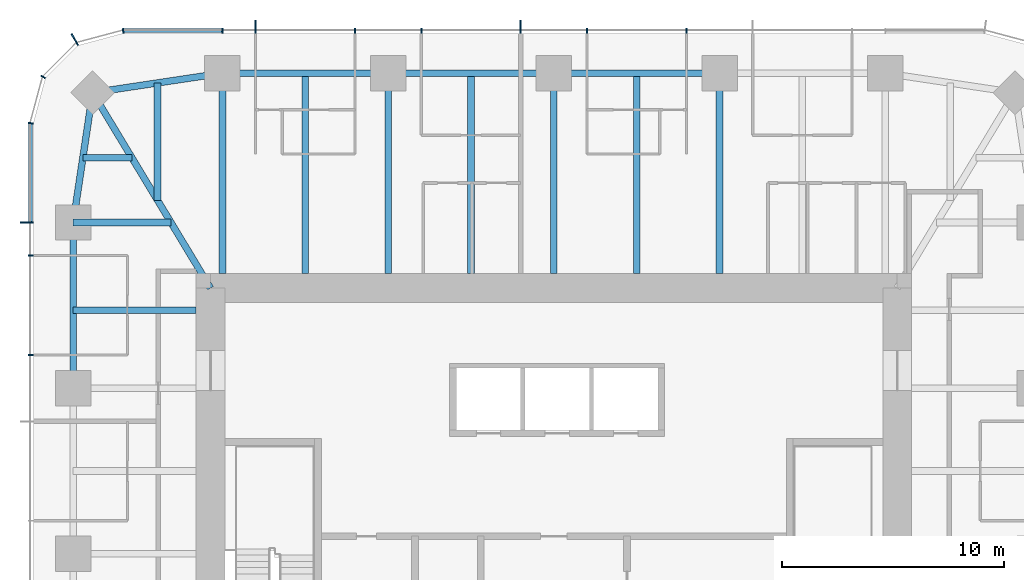
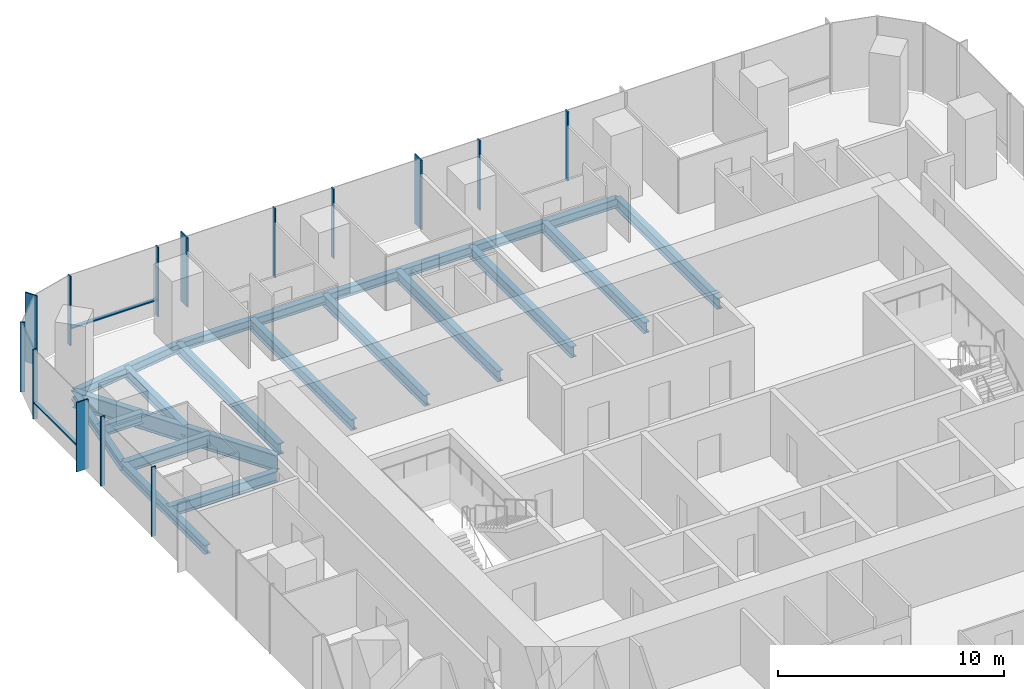
# One storey, part 5 of 12: 18 beams, 16 members, 3 elements without a shape of their own.
"""IFC4 building model written with IfcOpenShell, lengths in metres."""

from ifc_helpers import new_model, si_unit, direction, frame, origin, origin_2d, place, context, subcontext, project, spatial, rectangle, i_section, extrude, material, material_profile, profile_set, type_object, element, aggregate, save


model = new_model("IFC4")

# Units and contexts
model_context = context("Model", 3, precision=1e-05, world=origin(), true_north=direction((0.0, 1.0)))
body_context = subcontext(model_context, "Body", "Model", "MODEL_VIEW")
ifc_project = project(units=[si_unit("LENGTHUNIT", "METRE"), si_unit("AREAUNIT", "SQUARE_METRE"), si_unit("VOLUMEUNIT", "CUBIC_METRE"), si_unit("PLANEANGLEUNIT", "RADIAN"), si_unit("MASSUNIT", "GRAM", prefix="KILO")], contexts=[model_context])

# Site, building, storey
site_placement = place(None, origin())
site = spatial("IfcSite", under=ifc_project, at=site_placement, CompositionType="ELEMENT")
building_placement = place(site_placement, origin())
building = spatial("IfcBuilding", under=site, at=building_placement, Name="Khuree Lantern Residences", CompositionType="ELEMENT")
storey_placement = place(building_placement, frame((0.0, 0.0, 304.5)))
storey = spatial("IfcBuildingStorey", under=building, at=storey_placement, Name="L76", CompositionType="ELEMENT", Elevation=304.5)

# Beams
ifc_material_1 = material(Name="Steel S355", Category="steel")
ifc_material_profile_1 = material_profile(ifc_material_1, i_section(OverallWidth=0.300048828125, OverallDepth=0.590087890625, WebThickness=0.012939453125, FlangeThickness=0.02490234375, FilletRadius=0.027099609375, at=origin_2d()), Name="HE 600 A")
ifc_profile_set_1 = profile_set([ifc_material_profile_1], Name="Steel S355")
beam_type_1 = type_object("IfcBeamType", Name="B-42 SECONDARY BEAM HE 600 A", PredefinedType="BEAM", material=ifc_profile_set_1)
for number, where, z_axis, x_axis, name in (
    (1, (-11.219970703125, 21.699951171875, -0.544921875), (0.0, -1.0, 0.0), (1.0, 0.0, 0.0), "Secondary beam N1"),
    (2, (-3.739990234375, 21.699951171875, -0.544921875), (0.0, -1.0, 0.0), (1.0, 0.0, 0.0), "Secondary beam N2"),
    (3, (3.739990234375, 21.699951171875, -0.544921875), (0.0, -1.0, 0.0), (1.0, 0.0, 0.0), "Secondary beam N3"),
):
    element("IfcBeam", number, at=place(storey_placement, frame(where, z_axis=z_axis, x_axis=x_axis)), inside=storey, type_object=beam_type_1, Name=name, PredefinedType="BEAM", context=body_context, shape_type="SweptSolid", body=[
        extrude(i_section(OverallWidth=0.300048828125, OverallDepth=0.590087890625, WebThickness=0.012939453125, FlangeThickness=0.02490234375, FilletRadius=0.027099609375, at=origin_2d()), origin(), (0.0, 0.0, 1.0), 9.050048828125),
    ])
beam_1_placement = place(storey_placement, frame((-21.699951171875, 11.0, -0.544921875), z_axis=(1.0, 0.0, 0.0), x_axis=(0.0, 1.0, 0.0)))
element("IfcBeam", 4, at=beam_1_placement, inside=storey, type_object=beam_type_1, Name="Secondary beam W5", PredefinedType="BEAM", context=body_context, shape_type="SweptSolid", body=[
    extrude(i_section(OverallWidth=0.300048828125, OverallDepth=0.590087890625, WebThickness=0.012939453125, FlangeThickness=0.02490234375, FilletRadius=0.027099609375, at=origin_2d()), origin(), (0.0, 0.0, 1.0), 5.550048828125),
])
beam_2_placement = place(storey_placement, frame((-21.2607421875, 17.890625, -0.544921875), z_axis=(1.0, 0.0, 0.0), x_axis=(0.0, 1.0, 0.0)))
element("IfcBeam", 5, at=beam_2_placement, inside=storey, type_object=beam_type_1, Name="Secondary beam W6", PredefinedType="BEAM", context=body_context, shape_type="SweptSolid", body=[
    extrude(i_section(OverallWidth=0.300048828125, OverallDepth=0.590087890625, WebThickness=0.012939453125, FlangeThickness=0.02490234375, FilletRadius=0.027099609375, at=origin_2d()), origin(), (0.0, 0.0, 1.0), 2.207275390625),
])
beam_3_placement = place(storey_placement, frame((-17.890625, 21.2607421875, -0.544921875), z_axis=(0.0, -1.0, 0.0), x_axis=(1.0, 0.0, 0.0)))
element("IfcBeam", 6, at=beam_3_placement, inside=storey, type_object=beam_type_1, Name="Secondary beam N6", PredefinedType="BEAM", context=body_context, shape_type="SweptSolid", body=[
    extrude(i_section(OverallWidth=0.300048828125, OverallDepth=0.590087890625, WebThickness=0.012939453125, FlangeThickness=0.02490234375, FilletRadius=0.027099609375, at=origin_2d()), origin(), (0.0, 0.0, 1.0), 5.297607421875),
])
ifc_material_profile_2 = material_profile(ifc_material_1, i_section(OverallWidth=0.300048828125, OverallDepth=0.489990234375, WebThickness=0.011962890625, FlangeThickness=0.02294921875, FilletRadius=0.027099609375, at=origin_2d()), Name="HE 500 A")
ifc_profile_set_2 = profile_set([ifc_material_profile_2], Name="Steel S355")
beam_type_2 = type_object("IfcBeamType", Name="E-42 SPANDREL BEAM HE 500 A", PredefinedType="SPANDREL", material=ifc_profile_set_2)
for number, where, z_axis, x_axis, name in (
    (7, (-14.9599609375, 21.699951171875, -0.4951171875), (1.0, 0.0, 0.0), (0.0, 1.0, 0.0), "Spandrel beam N1"),
    (8, (-7.47998046875, 21.699951171875, -0.4951171875), (1.0, 0.0, 0.0), (0.0, 1.0, 0.0), "Spandrel beam N2"),
    (9, (0.0, 21.699951171875, -0.4951171875), (1.0, 0.0, 0.0), (0.0, 1.0, 0.0), "Spandrel beam N3"),
    (10, (-21.699951171875, 7.47998046875, -0.4951171875), (0.0, 1.0, 0.0), (-1.0, 0.0, 0.0), "Spandrel beam W5"),
):
    element("IfcBeam", number, at=place(storey_placement, frame(where, z_axis=z_axis, x_axis=x_axis)), inside=storey, type_object=beam_type_2, Name=name, PredefinedType="SPANDREL", context=body_context, shape_type="SweptSolid", body=[
        extrude(i_section(OverallWidth=0.300048828125, OverallDepth=0.489990234375, WebThickness=0.011962890625, FlangeThickness=0.02294921875, FilletRadius=0.027099609375, at=origin_2d()), origin(), (0.0, 0.0, 1.0), 7.47998046875),
    ])
for number, where, z_axis, x_axis, name in (
    (11, (-21.699951171875, 14.9599609375, -0.4951171875), (0.148251822985, 0.988949643299, 0.0), (-0.988949643299, 0.148251822985, 0.0), "Spandrel beam W6"),
    (12, (-20.8212890625, 20.8212890625, -0.4951171875), (0.988949643299, 0.148251822985, 0.0), (-0.148251822985, 0.988949643299, 0.0), "Spandrel beam N6"),
):
    element("IfcBeam", number, at=place(storey_placement, frame(where, z_axis=z_axis, x_axis=x_axis)), inside=storey, type_object=beam_type_2, Name=name, PredefinedType="SPANDREL", context=body_context, shape_type="SweptSolid", body=[
        extrude(i_section(OverallWidth=0.300048828125, OverallDepth=0.489990234375, WebThickness=0.011962890625, FlangeThickness=0.02294921875, FilletRadius=0.027099609375, at=origin_2d()), origin(), (0.0, 0.0, 1.0), 5.9267578125),
    ])

# Curtain wall, members
ifc_material_2 = material(Name="Bronze anodised aluminium", Category="aluminium")
curtain_wall_type_1 = type_object("IfcCurtainWallType", Name="CW-T1 TOWER FACE CURTAIN WALL", PredefinedType="USERDEFINED", material=ifc_material_2)
curtain_wall_1_placement = place(storey_placement, origin())
curtain_wall_1 = element("IfcCurtainWall", 13, at=curtain_wall_1_placement, inside=storey, type_object=curtain_wall_type_1, Name="L76 NORTH FACE CURTAIN WALL", ObjectType="Stick-built curtain wall", PredefinedType="USERDEFINED")
ifc_material_profile_3 = material_profile(ifc_material_2, rectangle(XDim=0.06494140625, YDim=0.60009765625, at=origin_2d()), Name="F1 65X600")
ifc_profile_set_3 = profile_set([ifc_material_profile_3], Name="Bronze anodised aluminium")
member_type_1 = type_object("IfcMemberType", Name="F1 BRONZE FIN MULLION TOWER 65X600", PredefinedType="MULLION", material=ifc_profile_set_3)
member_1_placement = place(storey_placement, frame((-1.49609375, 23.800048828125, 0.0), z_axis=(0.0, 0.0, 1.0), x_axis=(-1.0, 0.0, 0.0)))
member_1 = element("IfcMember", 14, at=member_1_placement, type_object=member_type_1, Name="L76 NORTH FACE FIN MULLION 24", PredefinedType="MULLION", context=body_context, shape_type="SweptSolid", body=[
    extrude(rectangle(XDim=0.06494140625, YDim=0.60009765625, at=origin_2d()), origin(), (0.0, 0.0, 1.0), 3.75),
])
member_2_placement = place(storey_placement, frame((-13.464111328125, 23.800048828125, 0.0), z_axis=(0.0, 0.0, 1.0), x_axis=(-1.0, 0.0, 0.0)))
member_2 = element("IfcMember", 15, at=member_2_placement, type_object=member_type_1, Name="L76 NORTH FACE FIN MULLION 27", PredefinedType="MULLION", context=body_context, shape_type="SweptSolid", body=[
    extrude(rectangle(XDim=0.06494140625, YDim=0.60009765625, at=origin_2d()), origin(), (0.0, 0.0, 1.0), 3.75),
])

# Curtain wall, member
curtain_wall_type_2 = type_object("IfcCurtainWallType", Name="CW-T2 TOWER CORNER CURTAIN WALL", PredefinedType="USERDEFINED", material=ifc_material_2)
curtain_wall_2_placement = place(storey_placement, origin())
curtain_wall_2 = element("IfcCurtainWall", 16, at=curtain_wall_2_placement, inside=storey, type_object=curtain_wall_type_2, Name="L76 NORTH-WEST CORNER CURTAIN WALL", ObjectType="Faceted corner curtain wall", PredefinedType="USERDEFINED")
member_3_placement = place(storey_placement, frame((-21.625, 23.21728515625, 0.0), z_axis=(0.0, 0.0, 1.0), x_axis=(-0.866025437565, -0.49999994149, 0.0)))
member_3 = element("IfcMember", 17, at=member_3_placement, type_object=member_type_1, Name="L76 NORTH-WEST CORNER FIN MULLION 30", PredefinedType="MULLION", context=body_context, shape_type="SweptSolid", body=[
    extrude(rectangle(XDim=0.06494140625, YDim=0.60009765625, at=origin_2d()), origin(), (0.0, 0.0, 1.0), 3.75),
])

curtain_wall_3_placement = place(storey_placement, origin())
curtain_wall_3 = element("IfcCurtainWall", 18, at=curtain_wall_3_placement, inside=storey, type_object=curtain_wall_type_1, Name="L76 WEST FACE CURTAIN WALL", ObjectType="Stick-built curtain wall", PredefinedType="USERDEFINED")
member_4_placement = place(storey_placement, frame((-23.800048828125, 14.9599609375, 0.0), z_axis=(0.0, 0.0, 1.0), x_axis=(0.0, -1.0, 0.0)))
member_4 = element("IfcMember", 19, at=member_4_placement, type_object=member_type_1, Name="L76 WEST FACE FIN MULLION 33", PredefinedType="MULLION", context=body_context, shape_type="SweptSolid", body=[
    extrude(rectangle(XDim=0.06494140625, YDim=0.60009765625, at=origin_2d()), origin(), (0.0, 0.0, 1.0), 3.75),
])

# Beams
ifc_material_profile_4 = material_profile(ifc_material_1, i_section(OverallWidth=0.300048828125, OverallDepth=0.60009765625, WebThickness=0.015380859375, FlangeThickness=0.030029296875, FilletRadius=0.027099609375, at=origin_2d()), Name="HE 600 B")
ifc_profile_set_4 = profile_set([ifc_material_profile_4], Name="Steel S355")
beam_type_3 = type_object("IfcBeamType", Name="G-42 GIRDER HE 600 B", PredefinedType="BEAM", material=ifc_profile_set_4)
for number, where, z_axis, x_axis, name in (
    (20, (-14.9599609375, 21.699951171875, -0.550048828125), (0.0, -1.0, 0.0), (1.0, 0.0, 0.0), "Girder N1"),
    (21, (-7.47998046875, 21.699951171875, -0.550048828125), (0.0, -1.0, 0.0), (1.0, 0.0, 0.0), "Girder N2"),
    (22, (0.0, 21.699951171875, -0.550048828125), (0.0, -1.0, 0.0), (1.0, 0.0, 0.0), "Girder N3"),
    (23, (7.47998046875, 21.699951171875, -0.550048828125), (0.0, -1.0, 0.0), (1.0, 0.0, 0.0), "Girder N4"),
):
    element("IfcBeam", number, at=place(storey_placement, frame(where, z_axis=z_axis, x_axis=x_axis)), inside=storey, type_object=beam_type_3, Name=name, PredefinedType="BEAM", context=body_context, shape_type="SweptSolid", body=[
        extrude(i_section(OverallWidth=0.300048828125, OverallDepth=0.60009765625, WebThickness=0.015380859375, FlangeThickness=0.030029296875, FilletRadius=0.027099609375, at=origin_2d()), origin(), (0.0, 0.0, 1.0), 9.050048828125),
    ])
beam_4_placement = place(storey_placement, frame((-21.699951171875, 14.9599609375, -0.550048828125), z_axis=(1.0, 0.0, 0.0), x_axis=(0.0, 1.0, 0.0)))
element("IfcBeam", 24, at=beam_4_placement, inside=storey, type_object=beam_type_3, Name="Girder W5", PredefinedType="BEAM", context=body_context, shape_type="SweptSolid", body=[
    extrude(i_section(OverallWidth=0.300048828125, OverallDepth=0.60009765625, WebThickness=0.015380859375, FlangeThickness=0.030029296875, FilletRadius=0.027099609375, at=origin_2d()), origin(), (0.0, 0.0, 1.0), 4.414306640625),
])
ifc_material_profile_5 = material_profile(ifc_material_1, i_section(OverallWidth=0.300048828125, OverallDepth=0.89990234375, WebThickness=0.0185546875, FlangeThickness=0.034912109375, FilletRadius=0.030029296875, at=origin_2d()), Name="HE 900 B")
ifc_profile_set_5 = profile_set([ifc_material_profile_5], Name="Steel S355")
beam_type_4 = type_object("IfcBeamType", Name="GD-42 CORNER GIRDER HE 900 B", PredefinedType="BEAM", material=ifc_profile_set_5)
beam_5_placement = place(storey_placement, frame((-20.8212890625, 20.8212890625, -0.699951171875), z_axis=(0.516529577604, -0.856269347495, 0.0), x_axis=(0.856269347495, 0.516529577604, 0.0)))
element("IfcBeam", 25, at=beam_5_placement, inside=storey, type_object=beam_type_4, Name="Corner girder NW", PredefinedType="BEAM", context=body_context, shape_type="SweptSolid", body=[
    extrude(i_section(OverallWidth=0.300048828125, OverallDepth=0.89990234375, WebThickness=0.0185546875, FlangeThickness=0.034912109375, FilletRadius=0.030029296875, at=origin_2d()), origin(), (0.0, 0.0, 1.0), 10.302001953125),
])

# Member
ifc_material_profile_6 = material_profile(ifc_material_2, rectangle(XDim=0.06494140625, YDim=0.219970703125, at=origin_2d()), Name="M1 65X220")
ifc_profile_set_6 = profile_set([ifc_material_profile_6], Name="Bronze anodised aluminium")
member_type_2 = type_object("IfcMemberType", Name="M1 BRONZE MULLION TOWER 65X220", PredefinedType="MULLION", material=ifc_profile_set_6)
member_5_placement = place(storey_placement, frame((5.98388671875, 23.610107421875, 0.0), z_axis=(0.0, 0.0, 1.0), x_axis=(-1.0, 0.0, 0.0)))
member_5 = element("IfcMember", 26, at=member_5_placement, type_object=member_type_2, Name="L76 NORTH FACE MULLION 22", PredefinedType="MULLION", context=body_context, shape_type="SweptSolid", body=[
    extrude(rectangle(XDim=0.06494140625, YDim=0.219970703125, at=origin_2d()), origin(), (0.0, 0.0, 1.0), 3.75),
])

member_6_placement = place(storey_placement, frame((1.49609375, 23.610107421875, 0.0), z_axis=(0.0, 0.0, 1.0), x_axis=(-1.0, 0.0, 0.0)))
member_6 = element("IfcMember", 27, at=member_6_placement, type_object=member_type_2, Name="L76 NORTH FACE MULLION 23", PredefinedType="MULLION", context=body_context, shape_type="SweptSolid", body=[
    extrude(rectangle(XDim=0.06494140625, YDim=0.219970703125, at=origin_2d()), origin(), (0.0, 0.0, 1.0), 3.75),
])

member_7_placement = place(storey_placement, frame((-5.98388671875, 23.610107421875, 0.0), z_axis=(0.0, 0.0, 1.0), x_axis=(-1.0, 0.0, 0.0)))
member_7 = element("IfcMember", 28, at=member_7_placement, type_object=member_type_2, Name="L76 NORTH FACE MULLION 25", PredefinedType="MULLION", context=body_context, shape_type="SweptSolid", body=[
    extrude(rectangle(XDim=0.06494140625, YDim=0.219970703125, at=origin_2d()), origin(), (0.0, 0.0, 1.0), 3.75),
])

member_8_placement = place(storey_placement, frame((-8.97607421875, 23.610107421875, 0.0), z_axis=(0.0, 0.0, 1.0), x_axis=(-1.0, 0.0, 0.0)))
member_8 = element("IfcMember", 29, at=member_8_placement, type_object=member_type_2, Name="L76 NORTH FACE MULLION 26", PredefinedType="MULLION", context=body_context, shape_type="SweptSolid", body=[
    extrude(rectangle(XDim=0.06494140625, YDim=0.219970703125, at=origin_2d()), origin(), (0.0, 0.0, 1.0), 3.75),
])

member_9_placement = place(storey_placement, frame((-14.9599609375, 23.610107421875, 0.0), z_axis=(0.0, 0.0, 1.0), x_axis=(-1.0, 0.0, 0.0)))
member_9 = element("IfcMember", 30, at=member_9_placement, type_object=member_type_2, Name="L76 NORTH FACE MULLION 28", PredefinedType="MULLION", context=body_context, shape_type="SweptSolid", body=[
    extrude(rectangle(XDim=0.06494140625, YDim=0.219970703125, at=origin_2d()), origin(), (0.0, 0.0, 1.0), 3.75),
])

member_10_placement = place(storey_placement, frame((-19.445068359375, 23.61181640625, 0.0), z_axis=(0.0, 0.0, 1.0), x_axis=(-0.991444870192, -0.130526125236, 0.0)))
member_10 = element("IfcMember", 31, at=member_10_placement, type_object=member_type_2, Name="L76 NORTH-WEST CORNER MULLION 29", PredefinedType="MULLION", context=body_context, shape_type="SweptSolid", body=[
    extrude(rectangle(XDim=0.06494140625, YDim=0.219970703125, at=origin_2d()), origin(), (0.0, 0.0, 1.0), 3.75),
])

member_11_placement = place(storey_placement, frame((-23.052734375, 21.530029296875, 0.0), z_axis=(0.0, 0.0, 1.0), x_axis=(-0.49999994149, -0.866025437565, 0.0)))
member_11 = element("IfcMember", 32, at=member_11_placement, type_object=member_type_2, Name="L76 NORTH-WEST CORNER MULLION 31", PredefinedType="MULLION", context=body_context, shape_type="SweptSolid", body=[
    extrude(rectangle(XDim=0.06494140625, YDim=0.219970703125, at=origin_2d()), origin(), (0.0, 0.0, 1.0), 3.75),
])

aggregate(curtain_wall_2, [member_10, member_3, member_11])

member_12_placement = place(storey_placement, frame((-23.61181640625, 19.445068359375, 0.0), z_axis=(0.0, 0.0, 1.0), x_axis=(-0.130526125236, -0.991444870192, 0.0)))
member_12 = element("IfcMember", 33, at=member_12_placement, type_object=member_type_2, Name="L76 WEST FACE MULLION 32", PredefinedType="MULLION", context=body_context, shape_type="SweptSolid", body=[
    extrude(rectangle(XDim=0.06494140625, YDim=0.219970703125, at=origin_2d()), origin(), (0.0, 0.0, 1.0), 3.75),
])

member_13_placement = place(storey_placement, frame((-23.610107421875, 13.464111328125, 0.0), z_axis=(0.0, 0.0, 1.0), x_axis=(0.0, -1.0, 0.0)))
member_13 = element("IfcMember", 34, at=member_13_placement, type_object=member_type_2, Name="L76 WEST FACE MULLION 34", PredefinedType="MULLION", context=body_context, shape_type="SweptSolid", body=[
    extrude(rectangle(XDim=0.06494140625, YDim=0.219970703125, at=origin_2d()), origin(), (0.0, 0.0, 1.0), 3.75),
])

member_14_placement = place(storey_placement, frame((-23.610107421875, 8.97607421875, 0.0), z_axis=(0.0, 0.0, 1.0), x_axis=(0.0, -1.0, 0.0)))
member_14 = element("IfcMember", 35, at=member_14_placement, type_object=member_type_2, Name="L76 WEST FACE MULLION 35", PredefinedType="MULLION", context=body_context, shape_type="SweptSolid", body=[
    extrude(rectangle(XDim=0.06494140625, YDim=0.219970703125, at=origin_2d()), origin(), (0.0, 0.0, 1.0), 3.75),
])

ifc_material_profile_7 = material_profile(ifc_material_2, rectangle(XDim=0.179931640625, YDim=0.06494140625, at=origin_2d()), Name="T1 180X65")
ifc_profile_set_7 = profile_set([ifc_material_profile_7], Name="Bronze anodised aluminium")
member_type_3 = type_object("IfcMemberType", Name="TRANSOM T1 TOWER 180X65", PredefinedType="USERDEFINED", material=ifc_profile_set_7)
member_15_placement = place(storey_placement, frame((-14.992431640625, 23.6201171875, 0.89990234375), z_axis=(-1.0, 0.0, 0.0), x_axis=(0.0, -1.0, 0.0)))
member_15 = element("IfcMember", 36, at=member_15_placement, type_object=member_type_3, Name="L76 NORTH FACE TRANSOM 28.1", ObjectType="Transom", PredefinedType="USERDEFINED", context=body_context, shape_type="SweptSolid", body=[
    extrude(rectangle(XDim=0.179931640625, YDim=0.06494140625, at=origin_2d()), origin(), (0.0, 0.0, 1.0), 4.408935546875),
])

aggregate(curtain_wall_1, [member_5, member_6, member_1, member_7, member_8, member_2, member_9, member_15])

member_16_placement = place(storey_placement, frame((-23.6201171875, 19.4013671875, 0.89990234375), z_axis=(0.0, -1.0, 0.0), x_axis=(1.0, 0.0, 0.0)))
member_16 = element("IfcMember", 37, at=member_16_placement, type_object=member_type_3, Name="L76 WEST FACE TRANSOM 32.1", ObjectType="Transom", PredefinedType="USERDEFINED", context=body_context, shape_type="SweptSolid", body=[
    extrude(rectangle(XDim=0.179931640625, YDim=0.06494140625, at=origin_2d()), origin(), (0.0, 0.0, 1.0), 4.408935546875),
])

aggregate(curtain_wall_3, [member_12, member_4, member_13, member_14, member_16])

save(model, "model.ifc")
